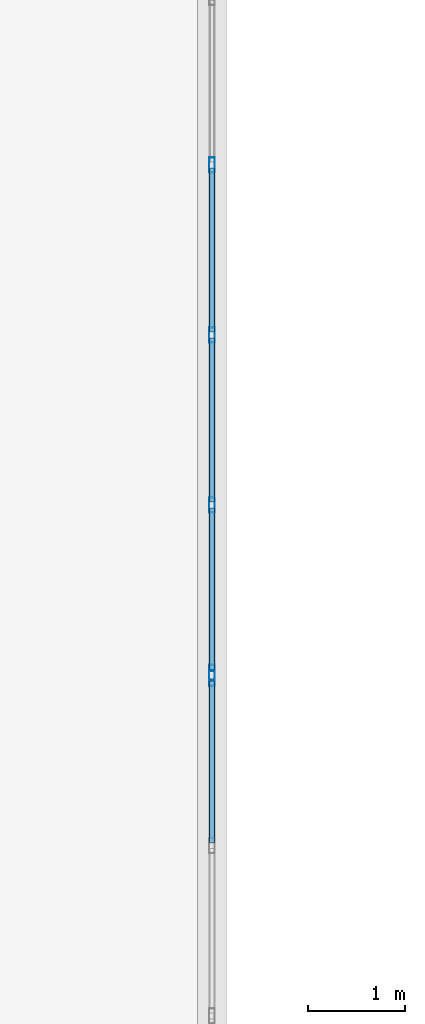
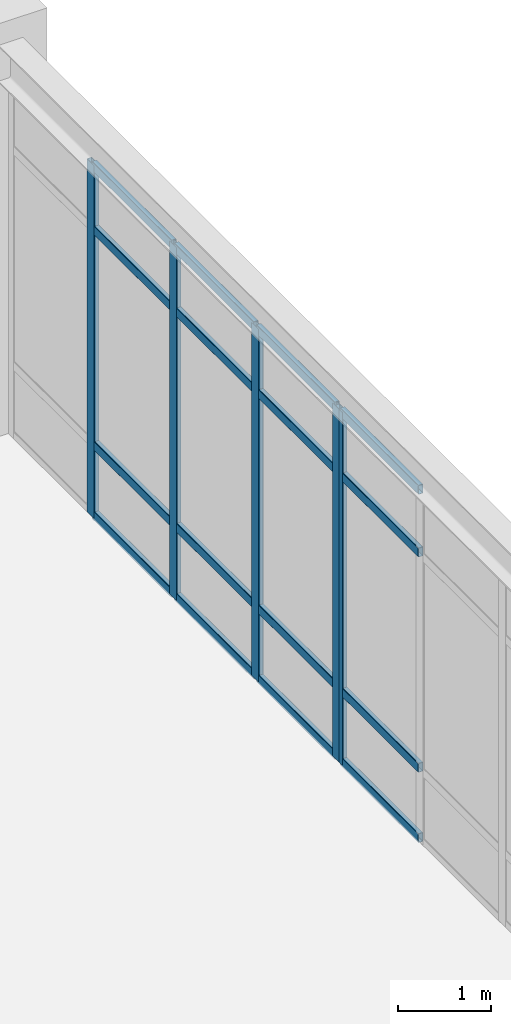
# One storey, part 67 of 114: 21 members, 2 elements without a shape of their own.
"""IFC4 building model written with IfcOpenShell, lengths in metres."""

from ifc_helpers import new_model, si_unit, derived_unit, direction, frame, origin, origin_2d, place, context, subcontext, project, spatial, hollow_rectangle, extrude, material, layer, layer_set, material_profile, profile_set, type_object, element, aggregate, save


model = new_model("IFC4")

# Units and contexts
model_context = context("Model", 3, precision=1e-05, world=origin(), true_north=direction((0.0, 1.0)))
body_context = subcontext(model_context, "Body", "Model", "MODEL_VIEW")
ifc_project = project(units=[si_unit("LENGTHUNIT", "METRE"), si_unit("AREAUNIT", "SQUARE_METRE"), si_unit("VOLUMEUNIT", "CUBIC_METRE"), si_unit("PLANEANGLEUNIT", "RADIAN"), si_unit("MASSUNIT", "GRAM", prefix="KILO"), derived_unit("THERMALTRANSMITTANCEUNIT", [(si_unit("MASSUNIT", "GRAM", prefix="KILO"), 1), (si_unit("TIMEUNIT", "SECOND"), -3), (si_unit("THERMODYNAMICTEMPERATUREUNIT", "KELVIN"), -1)])], contexts=[model_context])

# Site, building, storey
site_placement = place(None, origin())
site = spatial("IfcSite", under=ifc_project, at=site_placement, CompositionType="ELEMENT")
building_placement = place(site_placement, origin())
building = spatial("IfcBuilding", under=site, at=building_placement, Name="Qinzheling Arcade Emporium", CompositionType="ELEMENT")
storey_placement = place(building_placement, frame((0.0, 0.0, 6.0)))
storey = spatial("IfcBuildingStorey", under=building, at=storey_placement, Name="L02", CompositionType="ELEMENT", Elevation=6.0)

# Curtain wall, members
ifc_material_1 = material(Name="Anodised aluminium and solar-control double glazing", Category="aluminium")
ifc_layer = layer(ifc_material_1, 0.159912109375, Name="Anodised aluminium and solar-control double glazing", Category="aluminium")
ifc_layer_set = layer_set([ifc_layer], Name="Anodised aluminium and solar-control double glazing")
curtain_wall_type = type_object("IfcCurtainWallType", Name="Arcade Portal Glazed Curtain Wall", PredefinedType="NOTDEFINED", material=ifc_layer_set)
curtain_wall_1_placement = place(storey_placement, origin())
curtain_wall_1 = element("IfcCurtainWall", 1, at=curtain_wall_1_placement, inside=storey, type_object=curtain_wall_type, Name="Curtain Wall CW-L02-123", PredefinedType="NOTDEFINED")
ifc_material_2 = material(Name="Anodised aluminium 6063-T6", Category="aluminium")
ifc_material_profile_1 = material_profile(ifc_material_2, hollow_rectangle(XDim=0.06005859375, YDim=0.159912109375, WallThickness=0.00390625, InnerFilletRadius=0.00390625, OuterFilletRadius=0.008056640625, at=origin_2d()), Name="RHS 160x60x4", Category="aluminium")
ifc_profile_set_1 = profile_set([ifc_material_profile_1], Name="Anodised aluminium 6063-T6")
member_type_1 = type_object("IfcMemberType", Name="Curtain Wall Mullion RHS160x60", PredefinedType="MULLION", material=ifc_profile_set_1)
member_1_placement = place(storey_placement, frame((130.5, 63.1865234375, 0.0), z_axis=(0.0, 0.0, 1.0), x_axis=(1.0, 0.0, 0.0)))
member_1 = element("IfcMember", 2, at=member_1_placement, type_object=member_type_1, Name="CW05 mullion 2", PredefinedType="MULLION", context=body_context, shape_type="SweptSolid", body=[
    extrude(hollow_rectangle(XDim=0.06005859375, YDim=0.159912109375, WallThickness=0.00390625, InnerFilletRadius=0.00390625, OuterFilletRadius=0.008056640625, at=origin_2d()), origin(), (0.0, 0.0, 1.0), 4.616943359375),
])
member_2_placement = place(storey_placement, frame((130.5, 61.425048828125, 0.0), z_axis=(0.0, 0.0, 1.0), x_axis=(1.0, 0.0, 0.0)))
member_2 = element("IfcMember", 3, at=member_2_placement, type_object=member_type_1, Name="CW05 mullion 3", PredefinedType="MULLION", context=body_context, shape_type="SweptSolid", body=[
    extrude(hollow_rectangle(XDim=0.06005859375, YDim=0.159912109375, WallThickness=0.00390625, InnerFilletRadius=0.00390625, OuterFilletRadius=0.008056640625, at=origin_2d()), origin(), (0.0, 0.0, 1.0), 4.616943359375),
])
member_3_placement = place(storey_placement, frame((130.5, 59.66357421875, 0.0), z_axis=(0.0, 0.0, 1.0), x_axis=(1.0, 0.0, 0.0)))
member_3 = element("IfcMember", 4, at=member_3_placement, type_object=member_type_1, Name="CW05 mullion 4", PredefinedType="MULLION", context=body_context, shape_type="SweptSolid", body=[
    extrude(hollow_rectangle(XDim=0.06005859375, YDim=0.159912109375, WallThickness=0.00390625, InnerFilletRadius=0.00390625, OuterFilletRadius=0.008056640625, at=origin_2d()), origin(), (0.0, 0.0, 1.0), 4.616943359375),
])
member_4_placement = place(storey_placement, frame((130.5, 57.931884765625, 0.0), z_axis=(0.0, 0.0, 1.0), x_axis=(1.0, 0.0, 0.0)))
member_4 = element("IfcMember", 5, at=member_4_placement, type_object=member_type_1, Name="CW05 mullion 5", PredefinedType="MULLION", context=body_context, shape_type="SweptSolid", body=[
    extrude(hollow_rectangle(XDim=0.06005859375, YDim=0.159912109375, WallThickness=0.00390625, InnerFilletRadius=0.00390625, OuterFilletRadius=0.008056640625, at=origin_2d()), origin(), (0.0, 0.0, 1.0), 4.616943359375),
])

# Curtain wall, member
curtain_wall_2_placement = place(storey_placement, origin())
curtain_wall_2 = element("IfcCurtainWall", 6, at=curtain_wall_2_placement, inside=storey, type_object=curtain_wall_type, Name="Curtain Wall CW-L02-124", PredefinedType="NOTDEFINED")
member_5_placement = place(storey_placement, frame((130.5, 57.867919921875, 0.0), z_axis=(0.0, 0.0, 1.0), x_axis=(1.0, 0.0, 0.0)))
member_5 = element("IfcMember", 7, at=member_5_placement, type_object=member_type_1, Name="CW05 mullion 1", PredefinedType="MULLION", context=body_context, shape_type="SweptSolid", body=[
    extrude(hollow_rectangle(XDim=0.06005859375, YDim=0.159912109375, WallThickness=0.00390625, InnerFilletRadius=0.00390625, OuterFilletRadius=0.008056640625, at=origin_2d()), origin(), (0.0, 0.0, 1.0), 4.616943359375),
])

# Member
ifc_material_profile_2 = material_profile(ifc_material_2, hollow_rectangle(XDim=0.06005859375, YDim=0.1201171875, WallThickness=0.00390625, InnerFilletRadius=0.00390625, OuterFilletRadius=0.008056640625, at=origin_2d()), Name="RHS 120x60x4", Category="aluminium")
ifc_profile_set_2 = profile_set([ifc_material_profile_2], Name="Anodised aluminium 6063-T6")
member_type_2 = type_object("IfcMemberType", Name="Curtain Wall Transom RHS120x60", PredefinedType="USERDEFINED", material=ifc_profile_set_2)
member_6_placement = place(storey_placement, frame((130.5, 63.156494140625, 0.030029296875), z_axis=(0.0, -1.0, 0.0), x_axis=(1.0, 0.0, 0.0)))
member_6 = element("IfcMember", 8, at=member_6_placement, type_object=member_type_2, Name="CW05 transom 2.1", ObjectType="TRANSOM", PredefinedType="USERDEFINED", context=body_context, shape_type="SweptSolid", body=[
    extrude(hollow_rectangle(XDim=0.06005859375, YDim=0.1201171875, WallThickness=0.00390625, InnerFilletRadius=0.00390625, OuterFilletRadius=0.008056640625, at=origin_2d()), origin(), (0.0, 0.0, 1.0), 1.701416015625),
])

member_7_placement = place(storey_placement, frame((130.5, 63.156494140625, 0.949951171875), z_axis=(0.0, -1.0, 0.0), x_axis=(1.0, 0.0, 0.0)))
member_7 = element("IfcMember", 9, at=member_7_placement, type_object=member_type_2, Name="CW05 transom 2.2", ObjectType="TRANSOM", PredefinedType="USERDEFINED", context=body_context, shape_type="SweptSolid", body=[
    extrude(hollow_rectangle(XDim=0.06005859375, YDim=0.1201171875, WallThickness=0.00390625, InnerFilletRadius=0.00390625, OuterFilletRadius=0.008056640625, at=origin_2d()), origin(), (0.0, 0.0, 1.0), 1.701416015625),
])

member_8_placement = place(storey_placement, frame((130.5, 63.156494140625, 3.76708984375), z_axis=(0.0, -1.0, 0.0), x_axis=(1.0, 0.0, 0.0)))
member_8 = element("IfcMember", 10, at=member_8_placement, type_object=member_type_2, Name="CW05 transom 2.3", ObjectType="TRANSOM", PredefinedType="USERDEFINED", context=body_context, shape_type="SweptSolid", body=[
    extrude(hollow_rectangle(XDim=0.06005859375, YDim=0.1201171875, WallThickness=0.00390625, InnerFilletRadius=0.00390625, OuterFilletRadius=0.008056640625, at=origin_2d()), origin(), (0.0, 0.0, 1.0), 1.701416015625),
])

member_9_placement = place(storey_placement, frame((130.5, 63.156494140625, 4.5869140625), z_axis=(0.0, -1.0, 0.0), x_axis=(1.0, 0.0, 0.0)))
member_9 = element("IfcMember", 11, at=member_9_placement, type_object=member_type_2, Name="CW05 transom 2.4", ObjectType="TRANSOM", PredefinedType="USERDEFINED", context=body_context, shape_type="SweptSolid", body=[
    extrude(hollow_rectangle(XDim=0.06005859375, YDim=0.1201171875, WallThickness=0.00390625, InnerFilletRadius=0.00390625, OuterFilletRadius=0.008056640625, at=origin_2d()), origin(), (0.0, 0.0, 1.0), 1.701416015625),
])

member_10_placement = place(storey_placement, frame((130.5, 61.39501953125, 0.030029296875), z_axis=(0.0, -1.0, 0.0), x_axis=(1.0, 0.0, 0.0)))
member_10 = element("IfcMember", 12, at=member_10_placement, type_object=member_type_2, Name="CW05 transom 3.1", ObjectType="TRANSOM", PredefinedType="USERDEFINED", context=body_context, shape_type="SweptSolid", body=[
    extrude(hollow_rectangle(XDim=0.06005859375, YDim=0.1201171875, WallThickness=0.00390625, InnerFilletRadius=0.00390625, OuterFilletRadius=0.008056640625, at=origin_2d()), origin(), (0.0, 0.0, 1.0), 1.701416015625),
])

member_11_placement = place(storey_placement, frame((130.5, 61.39501953125, 0.949951171875), z_axis=(0.0, -1.0, 0.0), x_axis=(1.0, 0.0, 0.0)))
member_11 = element("IfcMember", 13, at=member_11_placement, type_object=member_type_2, Name="CW05 transom 3.2", ObjectType="TRANSOM", PredefinedType="USERDEFINED", context=body_context, shape_type="SweptSolid", body=[
    extrude(hollow_rectangle(XDim=0.06005859375, YDim=0.1201171875, WallThickness=0.00390625, InnerFilletRadius=0.00390625, OuterFilletRadius=0.008056640625, at=origin_2d()), origin(), (0.0, 0.0, 1.0), 1.701416015625),
])

member_12_placement = place(storey_placement, frame((130.5, 61.39501953125, 3.76708984375), z_axis=(0.0, -1.0, 0.0), x_axis=(1.0, 0.0, 0.0)))
member_12 = element("IfcMember", 14, at=member_12_placement, type_object=member_type_2, Name="CW05 transom 3.3", ObjectType="TRANSOM", PredefinedType="USERDEFINED", context=body_context, shape_type="SweptSolid", body=[
    extrude(hollow_rectangle(XDim=0.06005859375, YDim=0.1201171875, WallThickness=0.00390625, InnerFilletRadius=0.00390625, OuterFilletRadius=0.008056640625, at=origin_2d()), origin(), (0.0, 0.0, 1.0), 1.701416015625),
])

member_13_placement = place(storey_placement, frame((130.5, 61.39501953125, 4.5869140625), z_axis=(0.0, -1.0, 0.0), x_axis=(1.0, 0.0, 0.0)))
member_13 = element("IfcMember", 15, at=member_13_placement, type_object=member_type_2, Name="CW05 transom 3.4", ObjectType="TRANSOM", PredefinedType="USERDEFINED", context=body_context, shape_type="SweptSolid", body=[
    extrude(hollow_rectangle(XDim=0.06005859375, YDim=0.1201171875, WallThickness=0.00390625, InnerFilletRadius=0.00390625, OuterFilletRadius=0.008056640625, at=origin_2d()), origin(), (0.0, 0.0, 1.0), 1.701416015625),
])

member_14_placement = place(storey_placement, frame((130.5, 59.633544921875, 0.030029296875), z_axis=(0.0, -1.0, 0.0), x_axis=(1.0, 0.0, 0.0)))
member_14 = element("IfcMember", 16, at=member_14_placement, type_object=member_type_2, Name="CW05 transom 4.1", ObjectType="TRANSOM", PredefinedType="USERDEFINED", context=body_context, shape_type="SweptSolid", body=[
    extrude(hollow_rectangle(XDim=0.06005859375, YDim=0.1201171875, WallThickness=0.00390625, InnerFilletRadius=0.00390625, OuterFilletRadius=0.008056640625, at=origin_2d()), origin(), (0.0, 0.0, 1.0), 1.671630859375),
])

member_15_placement = place(storey_placement, frame((130.5, 59.633544921875, 0.949951171875), z_axis=(0.0, -1.0, 0.0), x_axis=(1.0, 0.0, 0.0)))
member_15 = element("IfcMember", 17, at=member_15_placement, type_object=member_type_2, Name="CW05 transom 4.2", ObjectType="TRANSOM", PredefinedType="USERDEFINED", context=body_context, shape_type="SweptSolid", body=[
    extrude(hollow_rectangle(XDim=0.06005859375, YDim=0.1201171875, WallThickness=0.00390625, InnerFilletRadius=0.00390625, OuterFilletRadius=0.008056640625, at=origin_2d()), origin(), (0.0, 0.0, 1.0), 1.671630859375),
])

member_16_placement = place(storey_placement, frame((130.5, 59.633544921875, 3.76708984375), z_axis=(0.0, -1.0, 0.0), x_axis=(1.0, 0.0, 0.0)))
member_16 = element("IfcMember", 18, at=member_16_placement, type_object=member_type_2, Name="CW05 transom 4.3", ObjectType="TRANSOM", PredefinedType="USERDEFINED", context=body_context, shape_type="SweptSolid", body=[
    extrude(hollow_rectangle(XDim=0.06005859375, YDim=0.1201171875, WallThickness=0.00390625, InnerFilletRadius=0.00390625, OuterFilletRadius=0.008056640625, at=origin_2d()), origin(), (0.0, 0.0, 1.0), 1.671630859375),
])

member_17_placement = place(storey_placement, frame((130.5, 59.633544921875, 4.5869140625), z_axis=(0.0, -1.0, 0.0), x_axis=(1.0, 0.0, 0.0)))
member_17 = element("IfcMember", 19, at=member_17_placement, type_object=member_type_2, Name="CW05 transom 4.4", ObjectType="TRANSOM", PredefinedType="USERDEFINED", context=body_context, shape_type="SweptSolid", body=[
    extrude(hollow_rectangle(XDim=0.06005859375, YDim=0.1201171875, WallThickness=0.00390625, InnerFilletRadius=0.00390625, OuterFilletRadius=0.008056640625, at=origin_2d()), origin(), (0.0, 0.0, 1.0), 1.671630859375),
])

aggregate(curtain_wall_1, [member_1, member_2, member_3, member_4, member_6, member_7, member_8, member_9, member_10, member_11, member_12, member_13, member_14, member_15, member_16, member_17])

member_18_placement = place(storey_placement, frame((130.5, 57.837890625, 0.030029296875), z_axis=(0.0, -1.0, 0.0), x_axis=(1.0, 0.0, 0.0)))
member_18 = element("IfcMember", 20, at=member_18_placement, type_object=member_type_2, Name="CW05 transom 1.1", ObjectType="TRANSOM", PredefinedType="USERDEFINED", context=body_context, shape_type="SweptSolid", body=[
    extrude(hollow_rectangle(XDim=0.06005859375, YDim=0.1201171875, WallThickness=0.00390625, InnerFilletRadius=0.00390625, OuterFilletRadius=0.008056640625, at=origin_2d()), origin(), (0.0, 0.0, 1.0), 1.67138671875),
])

member_19_placement = place(storey_placement, frame((130.5, 57.837890625, 0.949951171875), z_axis=(0.0, -1.0, 0.0), x_axis=(1.0, 0.0, 0.0)))
member_19 = element("IfcMember", 21, at=member_19_placement, type_object=member_type_2, Name="CW05 transom 1.2", ObjectType="TRANSOM", PredefinedType="USERDEFINED", context=body_context, shape_type="SweptSolid", body=[
    extrude(hollow_rectangle(XDim=0.06005859375, YDim=0.1201171875, WallThickness=0.00390625, InnerFilletRadius=0.00390625, OuterFilletRadius=0.008056640625, at=origin_2d()), origin(), (0.0, 0.0, 1.0), 1.67138671875),
])

member_20_placement = place(storey_placement, frame((130.5, 57.837890625, 3.76708984375), z_axis=(0.0, -1.0, 0.0), x_axis=(1.0, 0.0, 0.0)))
member_20 = element("IfcMember", 22, at=member_20_placement, type_object=member_type_2, Name="CW05 transom 1.3", ObjectType="TRANSOM", PredefinedType="USERDEFINED", context=body_context, shape_type="SweptSolid", body=[
    extrude(hollow_rectangle(XDim=0.06005859375, YDim=0.1201171875, WallThickness=0.00390625, InnerFilletRadius=0.00390625, OuterFilletRadius=0.008056640625, at=origin_2d()), origin(), (0.0, 0.0, 1.0), 1.67138671875),
])

member_21_placement = place(storey_placement, frame((130.5, 57.837890625, 4.5869140625), z_axis=(0.0, -1.0, 0.0), x_axis=(1.0, 0.0, 0.0)))
member_21 = element("IfcMember", 23, at=member_21_placement, type_object=member_type_2, Name="CW05 transom 1.4", ObjectType="TRANSOM", PredefinedType="USERDEFINED", context=body_context, shape_type="SweptSolid", body=[
    extrude(hollow_rectangle(XDim=0.06005859375, YDim=0.1201171875, WallThickness=0.00390625, InnerFilletRadius=0.00390625, OuterFilletRadius=0.008056640625, at=origin_2d()), origin(), (0.0, 0.0, 1.0), 1.67138671875),
])

aggregate(curtain_wall_2, [member_5, member_18, member_19, member_20, member_21])

save(model, "model.ifc")
